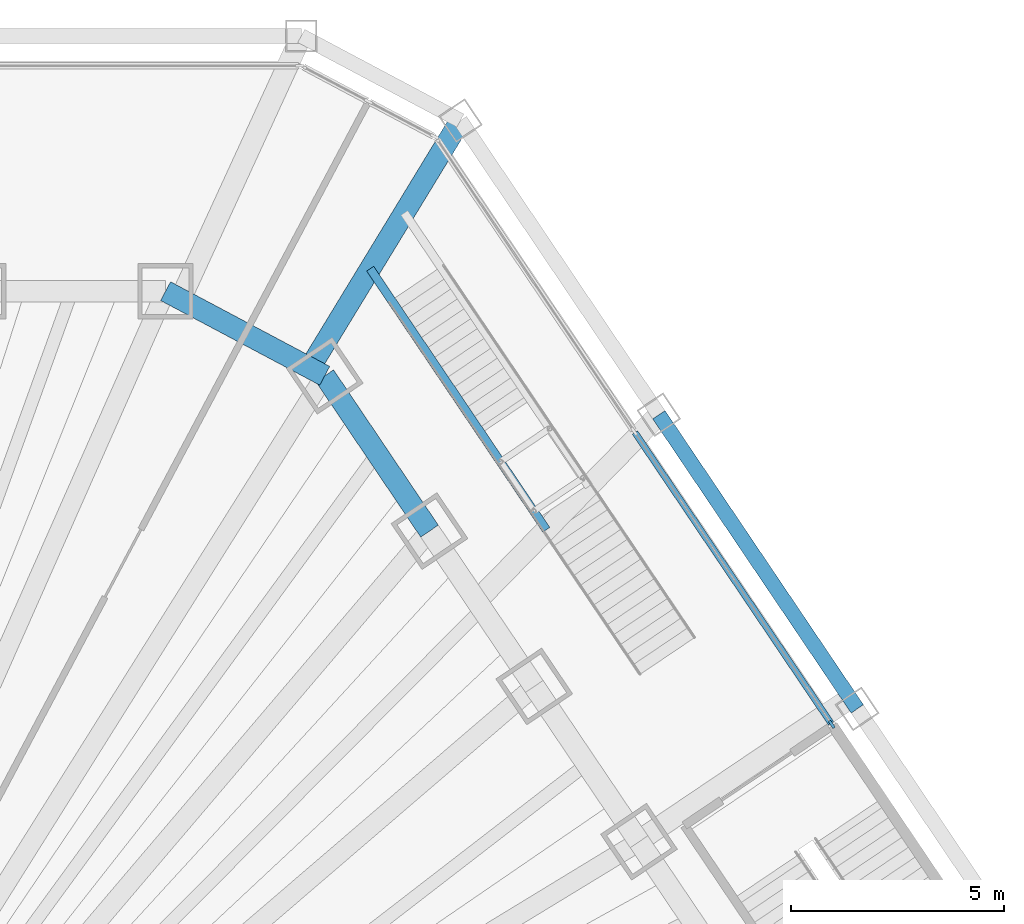
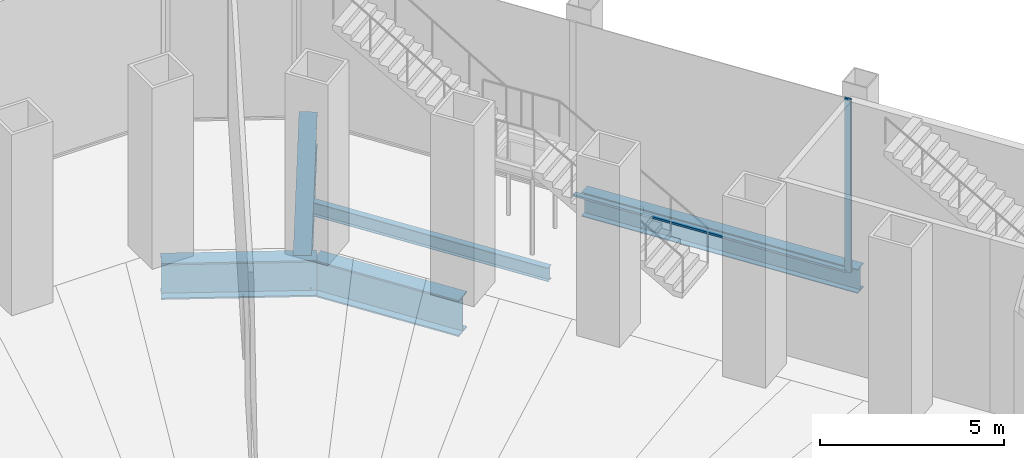
# One storey, part 11 of 23: 5 beams, 2 members, 1 element without a shape of its own.
"""IFC4 building model written with IfcOpenShell, lengths in metres."""

from ifc_helpers import new_model, si_unit, direction, frame, origin, origin_2d, place, context, subcontext, project, spatial, rectangle, i_section, extrude, material, material_profile, profile_set, type_object, element, aggregate, save


model = new_model("IFC4")

# Units and contexts
model_context = context("Model", 3, precision=1e-05, world=origin(), true_north=direction((0.0, 1.0)))
body_context = subcontext(model_context, "Body", "Model", "MODEL_VIEW")
ifc_project = project(units=[si_unit("LENGTHUNIT", "METRE"), si_unit("AREAUNIT", "SQUARE_METRE"), si_unit("VOLUMEUNIT", "CUBIC_METRE"), si_unit("PLANEANGLEUNIT", "RADIAN"), si_unit("MASSUNIT", "GRAM", prefix="KILO")], contexts=[model_context])

# Site, building, storey
site_placement = place(None, origin())
site = spatial("IfcSite", under=ifc_project, at=site_placement, CompositionType="ELEMENT")
building_placement = place(site_placement, origin())
building = spatial("IfcBuilding", under=site, at=building_placement, Name="Qingtian Harvest Tower", CompositionType="ELEMENT")
storey_placement = place(building_placement, frame((0.0, 0.0, 6.0)))
storey = spatial("IfcBuildingStorey", under=building, at=storey_placement, Name="L01", CompositionType="ELEMENT", Elevation=6.0)

# Beam
ifc_material_1 = material(Name="Steel SM570MC", Category="steel")
ifc_material_profile_1 = material_profile(ifc_material_1, i_section(OverallWidth=0.5, OverallDepth=1.10009765625, WebThickness=0.02490234375, FlangeThickness=0.050048828125, at=origin_2d()), Name="H1100x500x25x50")
ifc_profile_set_1 = profile_set([ifc_material_profile_1], Name="Steel SM570MC")
beam_type_1 = type_object("IfcBeamType", Name="Floor beam FB6 H1100x500x25x50", PredefinedType="BEAM", material=ifc_profile_set_1)
beam_1_placement = place(storey_placement, frame((18.888427734375, 31.01025390625, -0.800048828125), z_axis=(-0.52020179562, -0.854043378192, 0.0), x_axis=(0.854043378192, -0.52020179562, 0.0)))
element("IfcBeam", 1, at=beam_1_placement, inside=storey, type_object=beam_type_1, Name="Podium floor beam FB6 NE0", PredefinedType="BEAM", context=body_context, shape_type="SweptSolid", body=[
    extrude(i_section(OverallWidth=0.5, OverallDepth=1.10009765625, WebThickness=0.02490234375, FlangeThickness=0.050048828125, at=origin_2d()), origin(), (0.0, 0.0, 1.0), 6.806884765625),
])

# Curtain wall, member
ifc_material_2 = material(Name="Bronze-anodised aluminium curtain wall", Category="aluminium")
curtain_wall_type = type_object("IfcCurtainWallType", Name="Curtain wall CW1 podium shopfront", PredefinedType="USERDEFINED", material=ifc_material_2)
curtain_wall_placement = place(storey_placement, origin())
curtain_wall = element("IfcCurtainWall", 2, at=curtain_wall_placement, inside=storey, type_object=curtain_wall_type, Name="Curtain wall CW1 L01 NE0-1", ObjectType="RECESSED CURTAIN WALL", PredefinedType="USERDEFINED")
ifc_material_3 = material(Name="Bronze-anodised aluminium mullion", Category="aluminium")
ifc_material_profile_2 = material_profile(ifc_material_3, rectangle(XDim=0.06494140625, YDim=0.199951171875, at=origin_2d()), Name="AL 65x200")
ifc_profile_set_2 = profile_set([ifc_material_profile_2], Name="Bronze-anodised aluminium mullion")
member_type_1 = type_object("IfcMemberType", Name="Mullion CWM 65x200", PredefinedType="MULLION", material=ifc_profile_set_2)
member_1_placement = place(storey_placement, frame((27.619384765625, 16.814453125, 0.0), z_axis=(0.0, 0.0, 1.0), x_axis=(0.829037572555, 0.559192903471, 0.0)))
member_1 = element("IfcMember", 3, at=member_1_placement, type_object=member_type_1, Name="CW1 mullion 3", PredefinedType="MULLION", context=body_context, shape_type="SweptSolid", body=[
    extrude(rectangle(XDim=0.06494140625, YDim=0.199951171875, at=origin_2d()), origin(), (0.0, 0.0, 1.0), 5.75),
])

# Beams
ifc_material_4 = material(Name="Steel SN490B", Category="steel")
ifc_material_profile_3 = material_profile(ifc_material_4, i_section(OverallWidth=0.35009765625, OverallDepth=0.800048828125, WebThickness=0.01611328125, FlangeThickness=0.028076171875, at=origin_2d()), Name="H800x350x16x28")
ifc_profile_set_3 = profile_set([ifc_material_profile_3], Name="Steel SN490B")
beam_type_2 = type_object("IfcBeamType", Name="Podium beam PB1 H800x350x16x28", PredefinedType="BEAM", material=ifc_profile_set_3)
beam_2_placement = place(storey_placement, frame((23.55322265625, 24.0947265625, -0.64990234375), z_axis=(0.559176755628, -0.829048464183, 0.0), x_axis=(0.829048464183, 0.559176755628, 0.0)))
element("IfcBeam", 4, at=beam_2_placement, inside=storey, type_object=beam_type_2, Name="Podium edge beam PB1 NE1", PredefinedType="BEAM", context=body_context, shape_type="SweptSolid", body=[
    extrude(i_section(OverallWidth=0.35009765625, OverallDepth=0.800048828125, WebThickness=0.01611328125, FlangeThickness=0.028076171875, at=origin_2d()), origin(), (0.0, 0.0, 1.0), 8.341796875),
])
ifc_material_5 = material(Name="Steel SM570MC", Category="steel")
ifc_material_profile_4 = material_profile(ifc_material_5, i_section(OverallWidth=0.5, OverallDepth=1.199951171875, WebThickness=0.02490234375, FlangeThickness=0.050048828125, at=origin_2d()), Name="H1200x500x25x50")
ifc_profile_set_4 = profile_set([ifc_material_profile_4], Name="Steel SM570MC")
beam_type_3 = type_object("IfcBeamType", Name="Spandrel beam SB1 H1200x500x25x50", PredefinedType="SPANDREL", material=ifc_profile_set_4)
beam_3_placement = place(storey_placement, frame((11.9560546875, 27.0, -0.85009765625), z_axis=(0.882948599748, -0.469469669099, 0.0), x_axis=(0.469469669099, 0.882948599748, 0.0)))
element("IfcBeam", 5, at=beam_3_placement, inside=storey, type_object=beam_type_3, Name="Spandrel SB1 NC", PredefinedType="SPANDREL", context=body_context, shape_type="SweptSolid", body=[
    extrude(i_section(OverallWidth=0.5, OverallDepth=1.199951171875, WebThickness=0.02490234375, FlangeThickness=0.050048828125, at=origin_2d()), origin(), (0.0, 0.0, 1.0), 4.23828125),
])
beam_4_placement = place(storey_placement, frame((15.6982421875, 25.01025390625, -0.85009765625), z_axis=(0.559169135272, -0.829053603912, 0.0), x_axis=(0.829053603912, 0.559169135272, 0.0)))
element("IfcBeam", 6, at=beam_4_placement, inside=storey, type_object=beam_type_3, Name="Spandrel SB1 NE0", PredefinedType="SPANDREL", context=body_context, shape_type="SweptSolid", body=[
    extrude(i_section(OverallWidth=0.5, OverallDepth=1.199951171875, WebThickness=0.02490234375, FlangeThickness=0.050048828125, at=origin_2d()), origin(), (0.0, 0.0, 1.0), 4.404541015625),
])
ifc_material_6 = material(Name="Steel SN490B", Category="steel")
ifc_material_profile_5 = material_profile(ifc_material_6, i_section(OverallWidth=0.199951171875, OverallDepth=0.449951171875, WebThickness=0.009033203125, FlangeThickness=0.013916015625, at=origin_2d()), Name="H450x200x9x14")
ifc_profile_set_5 = profile_set([ifc_material_profile_5], Name="Steel SN490B")
beam_type_4 = type_object("IfcBeamType", Name="Stair support beam SSB1 H450x200x9x14", PredefinedType="BEAM", material=ifc_profile_set_5)
beam_5_placement = place(storey_placement, frame((20.90771484375, 21.388427734375, -0.47509765625), z_axis=(-0.559181195579, 0.829045469507, 0.0), x_axis=(-0.829045469507, -0.559181195579, 0.0)))
element("IfcBeam", 7, at=beam_5_placement, inside=storey, type_object=beam_type_4, Name="Stair support beam SSB1 FS3 R", PredefinedType="BEAM", context=body_context, shape_type="SweptSolid", body=[
    extrude(i_section(OverallWidth=0.199951171875, OverallDepth=0.449951171875, WebThickness=0.009033203125, FlangeThickness=0.013916015625, at=origin_2d()), origin(), (0.0, 0.0, 1.0), 7.40478515625),
])

# Member
ifc_material_7 = material(Name="Bronze-anodised aluminium transom", Category="aluminium")
ifc_material_profile_6 = material_profile(ifc_material_7, rectangle(XDim=0.14990234375, YDim=0.06494140625, at=origin_2d()), Name="AL 65x150")
ifc_profile_set_6 = profile_set([ifc_material_profile_6], Name="Bronze-anodised aluminium transom")
member_type_2 = type_object("IfcMemberType", Name="Transom CWT 65x150", PredefinedType="USERDEFINED", material=ifc_profile_set_6)
member_2_placement = place(storey_placement, frame((22.990966796875, 23.67626953125, 0.032470703125), z_axis=(0.559195632295, -0.829035731933, 0.0), x_axis=(0.829035731933, 0.559195632295, 0.0)))
member_2 = element("IfcMember", 8, at=member_2_placement, type_object=member_type_2, Name="CW1 transom 2.1", ObjectType="TRANSOM", PredefinedType="USERDEFINED", context=body_context, shape_type="SweptSolid", body=[
    extrude(rectangle(XDim=0.14990234375, YDim=0.06494140625, at=origin_2d()), origin(), (0.0, 0.0, 1.0), 8.244140625),
])

aggregate(curtain_wall, [member_1, member_2])

save(model, "model.ifc")
